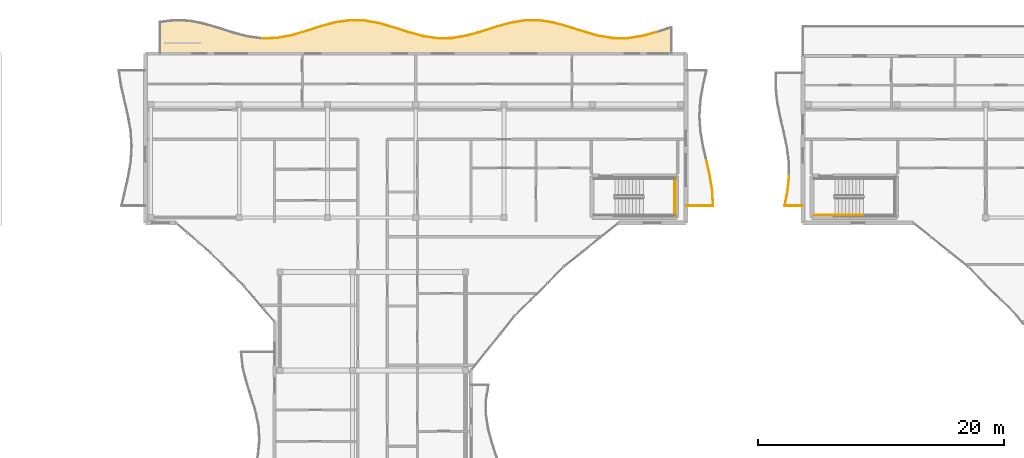
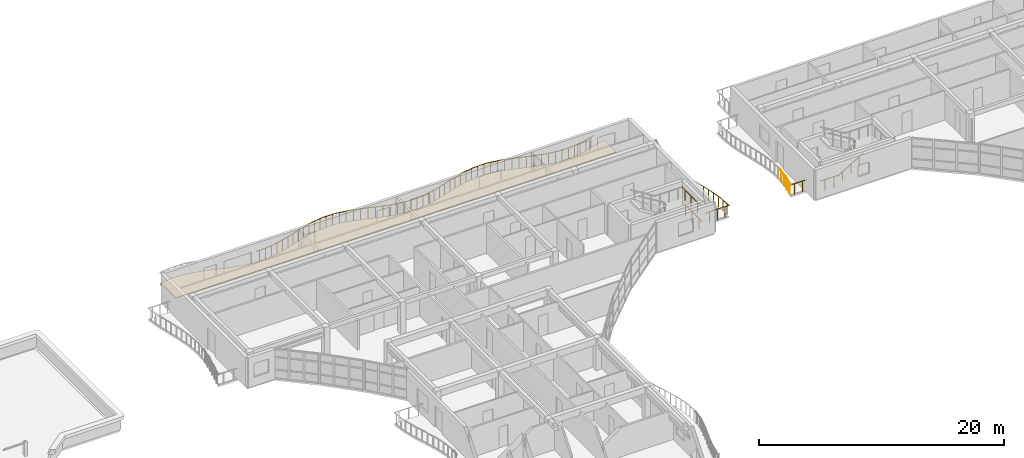
# One storey, part 35 of 39: 38 railings, 1 covering.
"""IFC4 building model written with IfcOpenShell, lengths in metres."""

from ifc_helpers import new_model, si_unit, direction, frame, origin, origin_2d, place, context, subcontext, project, spatial, polyline, circle, outline, extrude, material, layer, layer_set, type_object, element, save


model = new_model("IFC4")

# Units and contexts
model_context = context("Model", 3, precision=1e-05, world=origin(), true_north=direction((0.0, 1.0)))
body_context = subcontext(model_context, "Body", "Model", "MODEL_VIEW")
ifc_project = project(units=[si_unit("LENGTHUNIT", "METRE"), si_unit("AREAUNIT", "SQUARE_METRE"), si_unit("VOLUMEUNIT", "CUBIC_METRE"), si_unit("PLANEANGLEUNIT", "RADIAN"), si_unit("MASSUNIT", "GRAM", prefix="KILO")], contexts=[model_context])

# Site, building, storey
site_placement = place(None, origin())
site = spatial("IfcSite", under=ifc_project, at=site_placement, CompositionType="ELEMENT")
building_placement = place(site_placement, origin())
building = spatial("IfcBuilding", under=site, at=building_placement, Name="Keldmere Railside Commons", CompositionType="ELEMENT")
storey_placement = place(building_placement, frame((0.0, 0.0, 32.9599609375)))
storey = spatial("IfcBuildingStorey", under=building, at=storey_placement, Name="L10", CompositionType="ELEMENT", Elevation=32.9599609375)

# Railings
ifc_material_1 = material(Name="Steel F-24 (S235)", Category="steel")
railing_type_1 = type_object("IfcRailingType", Name="Balcony & Terrace Steel Balustrade 1100", PredefinedType="BALUSTRADE", material=ifc_material_1)
railing_1_placement = place(storey_placement, frame((103.02001953125, 115.01025390625, 0.0)))
element("IfcRailing", 1, at=railing_1_placement, inside=storey, type_object=railing_type_1, Name="GR-1 GRD-L10-2955", PredefinedType="BALUSTRADE", context=body_context, shape_type="SweptSolid", body=[
    extrude(circle(Radius=0.02392578125, at=origin_2d()), frame((0.0, 0.0, 1.076171875), z_axis=(0.999538160203, 0.030388588272, 0.0), x_axis=(-0.030388588272, 0.999538160203, 0.0)), (0.0, 0.0, 1.0), 1.18896484375),
    extrude(circle(Radius=0.02099609375, at=origin_2d()), frame((0.297119140625, 0.009033203125, 0.0)), (0.0, 0.0, 1.0), 1.048095703125),
    extrude(circle(Radius=0.02099609375, at=origin_2d()), frame((0.891357421875, 0.027099609375, 0.0)), (0.0, 0.0, 1.0), 1.048095703125),
])
railing_2_placement = place(storey_placement, frame((104.20849609375, 115.04638671875, 0.0)))
element("IfcRailing", 2, at=railing_2_placement, inside=storey, type_object=railing_type_1, Name="GR-1 GRD-L10-2956", PredefinedType="BALUSTRADE", context=body_context, shape_type="SweptSolid", body=[
    extrude(circle(Radius=0.02392578125, at=origin_2d()), frame((0.0, 0.0, 1.076171875), z_axis=(0.983124982756, 0.182935147746, 0.0), x_axis=(-0.182935147746, 0.983124982756, 0.0)), (0.0, 0.0, 1.0), 1.209228515625),
    extrude(circle(Radius=0.02099609375, at=origin_2d()), frame((0.297119140625, 0.05517578125, 0.0)), (0.0, 0.0, 1.0), 1.048095703125),
    extrude(circle(Radius=0.02099609375, at=origin_2d()), frame((0.8916015625, 0.166015625, 0.0)), (0.0, 0.0, 1.0), 1.048095703125),
])
railing_3_placement = place(storey_placement, frame((105.397216796875, 115.267578125, 0.0)))
element("IfcRailing", 3, at=railing_3_placement, inside=storey, type_object=railing_type_1, Name="GR-1 GRD-L10-2957", PredefinedType="BALUSTRADE", context=body_context, shape_type="SweptSolid", body=[
    extrude(circle(Radius=0.02392578125, at=origin_2d()), frame((0.0, 0.0, 1.076171875), z_axis=(0.959725739227, 0.280938615119, 0.0), x_axis=(-0.280938615119, 0.959725739227, 0.0)), (0.0, 0.0, 1.0), 1.23828125),
    extrude(circle(Radius=0.02099609375, at=origin_2d()), frame((0.297119140625, 0.0869140625, 0.0)), (0.0, 0.0, 1.0), 1.048095703125),
    extrude(circle(Radius=0.02099609375, at=origin_2d()), frame((0.891357421875, 0.260986328125, 0.0)), (0.0, 0.0, 1.0), 1.048095703125),
])
railing_4_placement = place(storey_placement, frame((106.585693359375, 115.615478515625, 0.0)))
element("IfcRailing", 4, at=railing_4_placement, inside=storey, type_object=railing_type_1, Name="GR-1 GRD-L10-2958", PredefinedType="BALUSTRADE", context=body_context, shape_type="SweptSolid", body=[
    extrude(circle(Radius=0.02392578125, at=origin_2d()), frame((0.0, 0.0, 1.076171875), z_axis=(0.951688351356, 0.307065598681, 0.0), x_axis=(-0.307065598681, 0.951688351356, 0.0)), (0.0, 0.0, 1.0), 1.2490234375),
    extrude(circle(Radius=0.02099609375, at=origin_2d()), frame((0.297119140625, 0.095947265625, 0.0)), (0.0, 0.0, 1.0), 1.048095703125),
    extrude(circle(Radius=0.02099609375, at=origin_2d()), frame((0.8916015625, 0.28759765625, 0.0)), (0.0, 0.0, 1.0), 1.048095703125),
])
railing_5_placement = place(storey_placement, frame((107.7744140625, 115.9990234375, 0.0)))
element("IfcRailing", 5, at=railing_5_placement, inside=storey, type_object=railing_type_1, Name="GR-1 GRD-L10-2959", PredefinedType="BALUSTRADE", context=body_context, shape_type="SweptSolid", body=[
    extrude(circle(Radius=0.02392578125, at=origin_2d()), frame((0.0, 0.0, 1.076171875), z_axis=(0.966043637192, 0.258378967877, 0.0), x_axis=(-0.258378967877, 0.966043637192, 0.0)), (0.0, 0.0, 1.0), 1.230224609375),
    extrude(circle(Radius=0.02099609375, at=origin_2d()), frame((0.297119140625, 0.07958984375, 0.0)), (0.0, 0.0, 1.0), 1.048095703125),
    extrude(circle(Radius=0.02099609375, at=origin_2d()), frame((0.891357421875, 0.23828125, 0.0)), (0.0, 0.0, 1.0), 1.048095703125),
])
railing_6_placement = place(storey_placement, frame((108.962890625, 116.31689453125, 0.0)))
element("IfcRailing", 6, at=railing_6_placement, inside=storey, type_object=railing_type_1, Name="GR-1 GRD-L10-2960", PredefinedType="BALUSTRADE", context=body_context, shape_type="SweptSolid", body=[
    extrude(circle(Radius=0.02392578125, at=origin_2d()), frame((0.0, 0.0, 1.076171875), z_axis=(0.990046879519, 0.140737970548, 0.0), x_axis=(-0.140737970548, 0.990046879519, 0.0)), (0.0, 0.0, 1.0), 1.200439453125),
    extrude(circle(Radius=0.02099609375, at=origin_2d()), frame((0.297119140625, 0.042236328125, 0.0)), (0.0, 0.0, 1.0), 1.048095703125),
    extrude(circle(Radius=0.02099609375, at=origin_2d()), frame((0.891357421875, 0.126708984375, 0.0)), (0.0, 0.0, 1.0), 1.048095703125),
])
railing_7_placement = place(storey_placement, frame((110.1513671875, 116.48583984375, 0.0)))
element("IfcRailing", 7, at=railing_7_placement, inside=storey, type_object=railing_type_1, Name="GR-1 GRD-L10-2961", PredefinedType="BALUSTRADE", context=body_context, shape_type="SweptSolid", body=[
    extrude(circle(Radius=0.02392578125, at=origin_2d()), frame((0.0, 0.0, 1.076171875), z_axis=(0.999784923443, -0.020739017718, 0.0), x_axis=(0.020739017718, 0.999784923443, 0.0)), (0.0, 0.0, 1.0), 1.18896484375),
    extrude(circle(Radius=0.02099609375, at=origin_2d()), frame((0.297119140625, -0.006103515625, 0.0)), (0.0, 0.0, 1.0), 1.048095703125),
    extrude(circle(Radius=0.02099609375, at=origin_2d()), frame((0.8916015625, -0.0185546875, 0.0)), (0.0, 0.0, 1.0), 1.048095703125),
])
railing_8_placement = place(storey_placement, frame((111.340087890625, 116.461181640625, 0.0)))
element("IfcRailing", 8, at=railing_8_placement, inside=storey, type_object=railing_type_1, Name="GR-1 GRD-L10-2962", PredefinedType="BALUSTRADE", context=body_context, shape_type="SweptSolid", body=[
    extrude(circle(Radius=0.02392578125, at=origin_2d()), frame((0.0, 0.0, 1.076171875), z_axis=(0.984507469879, -0.175342640999, 0.0), x_axis=(0.175342640999, 0.984507469879, 0.0)), (0.0, 0.0, 1.0), 1.207275390625),
    extrude(circle(Radius=0.02099609375, at=origin_2d()), frame((0.297119140625, -0.052978515625, 0.0)), (0.0, 0.0, 1.0), 1.048095703125),
    extrude(circle(Radius=0.02099609375, at=origin_2d()), frame((0.891357421875, -0.15869140625, 0.0)), (0.0, 0.0, 1.0), 1.048095703125),
])
railing_9_placement = place(storey_placement, frame((112.528564453125, 116.24951171875, 0.0)))
element("IfcRailing", 9, at=railing_9_placement, inside=storey, type_object=railing_type_1, Name="GR-1 GRD-L10-2963", PredefinedType="BALUSTRADE", context=body_context, shape_type="SweptSolid", body=[
    extrude(circle(Radius=0.02392578125, at=origin_2d()), frame((0.0, 0.0, 1.076171875), z_axis=(0.960783150684, -0.277300806637, 0.0), x_axis=(0.277300806637, 0.960783150684, 0.0)), (0.0, 0.0, 1.0), 1.237060546875),
    extrude(circle(Radius=0.02099609375, at=origin_2d()), frame((0.297119140625, -0.085693359375, 0.0)), (0.0, 0.0, 1.0), 1.048095703125),
    extrude(circle(Radius=0.02099609375, at=origin_2d()), frame((0.891357421875, -0.25732421875, 0.0)), (0.0, 0.0, 1.0), 1.048095703125),
])
railing_10_placement = place(storey_placement, frame((113.717041015625, 115.906494140625, 0.0)))
element("IfcRailing", 10, at=railing_10_placement, inside=storey, type_object=railing_type_1, Name="GR-1 GRD-L10-2964", PredefinedType="BALUSTRADE", context=body_context, shape_type="SweptSolid", body=[
    extrude(circle(Radius=0.02392578125, at=origin_2d()), frame((0.0, 0.0, 1.076171875), z_axis=(0.95151687698, -0.307596542281, 0.0), x_axis=(0.307596542281, 0.95151687698, 0.0)), (0.0, 0.0, 1.0), 1.249267578125),
    extrude(circle(Radius=0.02099609375, at=origin_2d()), frame((0.297119140625, -0.09619140625, 0.0)), (0.0, 0.0, 1.0), 1.048095703125),
    extrude(circle(Radius=0.02099609375, at=origin_2d()), frame((0.8916015625, -0.2880859375, 0.0)), (0.0, 0.0, 1.0), 1.048095703125),
])
railing_11_placement = place(storey_placement, frame((114.90576171875, 115.522216796875, 0.0)))
element("IfcRailing", 11, at=railing_11_placement, inside=storey, type_object=railing_type_1, Name="GR-1 GRD-L10-2965", PredefinedType="BALUSTRADE", context=body_context, shape_type="SweptSolid", body=[
    extrude(circle(Radius=0.02392578125, at=origin_2d()), frame((0.0, 0.0, 1.076171875), z_axis=(0.964745525267, -0.263184481831, 0.0), x_axis=(0.263184481831, 0.964745525267, 0.0)), (0.0, 0.0, 1.0), 1.23193359375),
    extrude(circle(Radius=0.02099609375, at=origin_2d()), frame((0.297119140625, -0.0810546875, 0.0)), (0.0, 0.0, 1.0), 1.048095703125),
    extrude(circle(Radius=0.02099609375, at=origin_2d()), frame((0.891357421875, -0.2431640625, 0.0)), (0.0, 0.0, 1.0), 1.048095703125),
])
railing_12_placement = place(storey_placement, frame((116.09423828125, 115.197998046875, 0.0)))
element("IfcRailing", 12, at=railing_12_placement, inside=storey, type_object=railing_type_1, Name="GR-1 GRD-L10-2966", PredefinedType="BALUSTRADE", context=body_context, shape_type="SweptSolid", body=[
    extrude(circle(Radius=0.02392578125, at=origin_2d()), frame((0.0, 0.0, 1.076171875), z_axis=(0.988827344102, -0.149065366722, 0.0), x_axis=(0.149065366722, 0.988827344102, 0.0)), (0.0, 0.0, 1.0), 1.2021484375),
    extrude(circle(Radius=0.02099609375, at=origin_2d()), frame((0.297119140625, -0.044921875, 0.0)), (0.0, 0.0, 1.0), 1.048095703125),
    extrude(circle(Radius=0.02099609375, at=origin_2d()), frame((0.8916015625, -0.13427734375, 0.0)), (0.0, 0.0, 1.0), 1.048095703125),
])
railing_13_placement = place(storey_placement, frame((117.282958984375, 115.018798828125, 0.0)))
element("IfcRailing", 13, at=railing_13_placement, inside=storey, type_object=railing_type_1, Name="GR-1 GRD-L10-2967", PredefinedType="BALUSTRADE", context=body_context, shape_type="SweptSolid", body=[
    extrude(circle(Radius=0.02392578125, at=origin_2d()), frame((0.0, 0.0, 1.076171875), z_axis=(0.999938480003, 0.011092168841, 0.0), x_axis=(-0.011092168841, 0.999938480003, 0.0)), (0.0, 0.0, 1.0), 1.1884765625),
    extrude(circle(Radius=0.02099609375, at=origin_2d()), frame((0.297119140625, 0.00341796875, 0.0)), (0.0, 0.0, 1.0), 1.048095703125),
    extrude(circle(Radius=0.02099609375, at=origin_2d()), frame((0.891357421875, 0.009765625, 0.0)), (0.0, 0.0, 1.0), 1.048095703125),
])
railing_14_placement = place(storey_placement, frame((118.471435546875, 115.031982421875, 0.0)))
element("IfcRailing", 14, at=railing_14_placement, inside=storey, type_object=railing_type_1, Name="GR-1 GRD-L10-2968", PredefinedType="BALUSTRADE", context=body_context, shape_type="SweptSolid", body=[
    extrude(circle(Radius=0.02392578125, at=origin_2d()), frame((0.0, 0.0, 1.076171875), z_axis=(0.98587457901, 0.167485266401, 0.0), x_axis=(-0.167485266401, 0.98587457901, 0.0)), (0.0, 0.0, 1.0), 1.20556640625),
    extrude(circle(Radius=0.02099609375, at=origin_2d()), frame((0.297119140625, 0.050537109375, 0.0)), (0.0, 0.0, 1.0), 1.048095703125),
    extrude(circle(Radius=0.02099609375, at=origin_2d()), frame((0.891357421875, 0.1513671875, 0.0)), (0.0, 0.0, 1.0), 1.048095703125),
])
railing_15_placement = place(storey_placement, frame((119.659912109375, 115.23388671875, 0.0)))
element("IfcRailing", 15, at=railing_15_placement, inside=storey, type_object=railing_type_1, Name="GR-1 GRD-L10-2969", PredefinedType="BALUSTRADE", context=body_context, shape_type="SweptSolid", body=[
    extrude(circle(Radius=0.02392578125, at=origin_2d()), frame((0.0, 0.0, 1.076171875), z_axis=(0.961895808066, 0.273416265838, 0.0), x_axis=(-0.273416265838, 0.961895808066, 0.0)), (0.0, 0.0, 1.0), 1.23583984375),
    extrude(circle(Radius=0.02099609375, at=origin_2d()), frame((0.297119140625, 0.08447265625, 0.0)), (0.0, 0.0, 1.0), 1.048095703125),
    extrude(circle(Radius=0.02099609375, at=origin_2d()), frame((0.8916015625, 0.25341796875, 0.0)), (0.0, 0.0, 1.0), 1.048095703125),
])
railing_16_placement = place(storey_placement, frame((120.8486328125, 115.57177734375, 0.0)))
element("IfcRailing", 16, at=railing_16_placement, inside=storey, type_object=railing_type_1, Name="GR-1 GRD-L10-2970", PredefinedType="BALUSTRADE", context=body_context, shape_type="SweptSolid", body=[
    extrude(circle(Radius=0.02392578125, at=origin_2d()), frame((0.0, 0.0, 1.076171875), z_axis=(0.951441151342, 0.307830692967, 0.0), x_axis=(-0.307830692967, 0.951441151342, 0.0)), (0.0, 0.0, 1.0), 1.2490234375),
    extrude(circle(Radius=0.02099609375, at=origin_2d()), frame((0.297119140625, 0.09619140625, 0.0)), (0.0, 0.0, 1.0), 1.048095703125),
    extrude(circle(Radius=0.02099609375, at=origin_2d()), frame((0.891357421875, 0.288330078125, 0.0)), (0.0, 0.0, 1.0), 1.048095703125),
])
railing_17_placement = place(storey_placement, frame((122.037109375, 115.956298828125, 0.0)))
element("IfcRailing", 17, at=railing_17_placement, inside=storey, type_object=railing_type_1, Name="GR-1 GRD-L10-2971", PredefinedType="BALUSTRADE", context=body_context, shape_type="SweptSolid", body=[
    extrude(circle(Radius=0.02392578125, at=origin_2d()), frame((0.0, 0.0, 1.076171875), z_axis=(0.96347820146, 0.267786772099, 0.0), x_axis=(-0.267786772099, 0.96347820146, 0.0)), (0.0, 0.0, 1.0), 1.233642578125),
    extrude(circle(Radius=0.02099609375, at=origin_2d()), frame((0.297119140625, 0.08251953125, 0.0)), (0.0, 0.0, 1.0), 1.048095703125),
    extrude(circle(Radius=0.02099609375, at=origin_2d()), frame((0.891357421875, 0.247802734375, 0.0)), (0.0, 0.0, 1.0), 1.048095703125),
])
railing_18_placement = place(storey_placement, frame((123.2255859375, 116.28662109375, 0.0)))
element("IfcRailing", 18, at=railing_18_placement, inside=storey, type_object=railing_type_1, Name="GR-1 GRD-L10-2972", PredefinedType="BALUSTRADE", context=body_context, shape_type="SweptSolid", body=[
    extrude(circle(Radius=0.02392578125, at=origin_2d()), frame((0.0, 0.0, 1.076171875), z_axis=(0.987599611549, 0.156993653592, 0.0), x_axis=(-0.156993653592, 0.987599611549, 0.0)), (0.0, 0.0, 1.0), 1.20361328125),
    extrude(circle(Radius=0.02099609375, at=origin_2d()), frame((0.297119140625, 0.04736328125, 0.0)), (0.0, 0.0, 1.0), 1.048095703125),
    extrude(circle(Radius=0.02099609375, at=origin_2d()), frame((0.8916015625, 0.1416015625, 0.0)), (0.0, 0.0, 1.0), 1.048095703125),
])
railing_19_placement = place(storey_placement, frame((124.414306640625, 116.4755859375, 0.0)))
element("IfcRailing", 19, at=railing_19_placement, inside=storey, type_object=railing_type_1, Name="GR-1 GRD-L10-2973", PredefinedType="BALUSTRADE", context=body_context, shape_type="SweptSolid", body=[
    extrude(circle(Radius=0.02392578125, at=origin_2d()), frame((0.0, 0.0, 1.076171875), z_axis=(0.999999240425, -0.001232538094, 0.0), x_axis=(0.001232538094, 0.999999240425, 0.0)), (0.0, 0.0, 1.0), 1.1884765625),
    extrude(circle(Radius=0.02099609375, at=origin_2d()), frame((0.297119140625, -0.00048828125, 0.0)), (0.0, 0.0, 1.0), 1.048095703125),
    extrude(circle(Radius=0.02099609375, at=origin_2d()), frame((0.891357421875, -0.0009765625, 0.0)), (0.0, 0.0, 1.0), 1.048095703125),
])
railing_20_placement = place(storey_placement, frame((125.602783203125, 116.47412109375, 0.0)))
element("IfcRailing", 20, at=railing_20_placement, inside=storey, type_object=railing_type_1, Name="GR-1 GRD-L10-2974", PredefinedType="BALUSTRADE", context=body_context, shape_type="SweptSolid", body=[
    extrude(circle(Radius=0.02392578125, at=origin_2d()), frame((0.0, 0.0, 1.076171875), z_axis=(0.987187601693, -0.159563902759, 0.0), x_axis=(0.159563902759, 0.987187601693, 0.0)), (0.0, 0.0, 1.0), 1.2041015625),
    extrude(circle(Radius=0.02099609375, at=origin_2d()), frame((0.297119140625, -0.048095703125, 0.0)), (0.0, 0.0, 1.0), 1.048095703125),
    extrude(circle(Radius=0.02099609375, at=origin_2d()), frame((0.8916015625, -0.14404296875, 0.0)), (0.0, 0.0, 1.0), 1.048095703125),
])
railing_21_placement = place(storey_placement, frame((126.79150390625, 116.281982421875, 0.0)))
element("IfcRailing", 21, at=railing_21_placement, inside=storey, type_object=railing_type_1, Name="GR-1 GRD-L10-2975", PredefinedType="BALUSTRADE", context=body_context, shape_type="SweptSolid", body=[
    extrude(circle(Radius=0.02392578125, at=origin_2d()), frame((0.0, 0.0, 1.076171875), z_axis=(0.96317127953, -0.268888613164, 0.0), x_axis=(0.268888613164, 0.96317127953, 0.0)), (0.0, 0.0, 1.0), 1.23388671875),
    extrude(circle(Radius=0.02099609375, at=origin_2d()), frame((0.297119140625, -0.0830078125, 0.0)), (0.0, 0.0, 1.0), 1.048095703125),
    extrude(circle(Radius=0.02099609375, at=origin_2d()), frame((0.891357421875, -0.248779296875, 0.0)), (0.0, 0.0, 1.0), 1.048095703125),
])
railing_22_placement = place(storey_placement, frame((127.97998046875, 115.9501953125, 0.0)))
element("IfcRailing", 22, at=railing_22_placement, inside=storey, type_object=railing_type_1, Name="GR-1 GRD-L10-2976", PredefinedType="BALUSTRADE", context=body_context, shape_type="SweptSolid", body=[
    extrude(circle(Radius=0.02392578125, at=origin_2d()), frame((0.0, 0.0, 1.076171875), z_axis=(0.95140243058, -0.307950345162, 0.0), x_axis=(0.307950345162, 0.95140243058, 0.0)), (0.0, 0.0, 1.0), 1.24951171875),
    extrude(circle(Radius=0.02099609375, at=origin_2d()), frame((0.297119140625, -0.09619140625, 0.0)), (0.0, 0.0, 1.0), 1.048095703125),
    extrude(circle(Radius=0.02099609375, at=origin_2d()), frame((0.8916015625, -0.28857421875, 0.0)), (0.0, 0.0, 1.0), 1.048095703125),
])
railing_23_placement = place(storey_placement, frame((129.168701171875, 115.5654296875, 0.0)))
element("IfcRailing", 23, at=railing_23_placement, inside=storey, type_object=railing_type_1, Name="GR-1 GRD-L10-2977", PredefinedType="BALUSTRADE", context=body_context, shape_type="SweptSolid", body=[
    extrude(circle(Radius=0.02392578125, at=origin_2d()), frame((0.0, 0.0, 1.076171875), z_axis=(0.96229590619, -0.272004759022, 0.0), x_axis=(0.272004759022, 0.96229590619, 0.0)), (0.0, 0.0, 1.0), 1.235107421875),
    extrude(circle(Radius=0.02099609375, at=origin_2d()), frame((0.297119140625, -0.083984375, 0.0)), (0.0, 0.0, 1.0), 1.048095703125),
    extrude(circle(Radius=0.02099609375, at=origin_2d()), frame((0.891357421875, -0.251953125, 0.0)), (0.0, 0.0, 1.0), 1.048095703125),
])
railing_24_placement = place(storey_placement, frame((130.357177734375, 115.2294921875, 0.0)))
element("IfcRailing", 24, at=railing_24_placement, inside=storey, type_object=railing_type_1, Name="GR-1 GRD-L10-2978", PredefinedType="BALUSTRADE", context=body_context, shape_type="SweptSolid", body=[
    extrude(circle(Radius=0.02392578125, at=origin_2d()), frame((0.0, 0.0, 1.076171875), z_axis=(0.986240178555, -0.165318813825, 0.0), x_axis=(0.165318813825, 0.986240178555, 0.0)), (0.0, 0.0, 1.0), 1.205078125),
    extrude(circle(Radius=0.02099609375, at=origin_2d()), frame((0.297119140625, -0.0498046875, 0.0)), (0.0, 0.0, 1.0), 1.048095703125),
    extrude(circle(Radius=0.02099609375, at=origin_2d()), frame((0.891357421875, -0.1494140625, 0.0)), (0.0, 0.0, 1.0), 1.048095703125),
])
railing_25_placement = place(storey_placement, frame((131.545654296875, 115.0302734375, 0.0)))
element("IfcRailing", 25, at=railing_25_placement, inside=storey, type_object=railing_type_1, Name="GR-1 GRD-L10-2979", PredefinedType="BALUSTRADE", context=body_context, shape_type="SweptSolid", body=[
    extrude(circle(Radius=0.02392578125, at=origin_2d()), frame((0.0, 0.0, 1.076171875), z_axis=(0.99996625663, -0.008214962059, 0.0), x_axis=(0.008214962059, 0.99996625663, 0.0)), (0.0, 0.0, 1.0), 1.188720703125),
    extrude(circle(Radius=0.02099609375, at=origin_2d()), frame((0.297119140625, -0.00244140625, 0.0)), (0.0, 0.0, 1.0), 1.048095703125),
    extrude(circle(Radius=0.02099609375, at=origin_2d()), frame((0.8916015625, -0.00732421875, 0.0)), (0.0, 0.0, 1.0), 1.048095703125),
])
railing_26_placement = place(storey_placement, frame((132.734375, 115.0205078125, 0.0)))
element("IfcRailing", 26, at=railing_26_placement, inside=storey, type_object=railing_type_1, Name="GR-1 GRD-L10-2980", PredefinedType="BALUSTRADE", context=body_context, shape_type="SweptSolid", body=[
    extrude(circle(Radius=0.02392578125, at=origin_2d()), frame((0.0, 0.0, 1.076171875), z_axis=(0.988491113928, 0.151278939991, 0.0), x_axis=(-0.151278939991, 0.988491113928, 0.0)), (0.0, 0.0, 1.0), 1.202392578125),
    extrude(circle(Radius=0.02099609375, at=origin_2d()), frame((0.297119140625, 0.04541015625, 0.0)), (0.0, 0.0, 1.0), 1.048095703125),
    extrude(circle(Radius=0.02099609375, at=origin_2d()), frame((0.891357421875, 0.136474609375, 0.0)), (0.0, 0.0, 1.0), 1.048095703125),
])
railing_27_placement = place(storey_placement, frame((133.9228515625, 115.202392578125, 0.0)))
element("IfcRailing", 27, at=railing_27_placement, inside=storey, type_object=railing_type_1, Name="GR-1 GRD-L10-2981", PredefinedType="BALUSTRADE", context=body_context, shape_type="SweptSolid", body=[
    extrude(circle(Radius=0.02392578125, at=origin_2d()), frame((0.0, 0.0, 1.076171875), z_axis=(0.964392555103, 0.264474950917, 0.0), x_axis=(-0.264474950917, 0.964392555103, 0.0)), (0.0, 0.0, 1.0), 1.232421875),
    extrude(circle(Radius=0.02099609375, at=origin_2d()), frame((0.297119140625, 0.08154296875, 0.0)), (0.0, 0.0, 1.0), 1.048095703125),
    extrude(circle(Radius=0.02099609375, at=origin_2d()), frame((0.891357421875, 0.244384765625, 0.0)), (0.0, 0.0, 1.0), 1.048095703125),
])
railing_28_placement = place(storey_placement, frame((137.5, 101.39990234375, 0.0)))
element("IfcRailing", 28, at=railing_28_placement, inside=storey, type_object=railing_type_1, Name="GR-1 GRD-L10-3028", PredefinedType="BALUSTRADE", context=body_context, shape_type="SweptSolid", body=[
    extrude(circle(Radius=0.02392578125, at=origin_2d()), frame((0.0, 0.0, 1.076171875), z_axis=(1.0, 0.0, 0.0), x_axis=(0.0, 1.0, 0.0)), (0.0, 0.0, 1.0), 2.19921875),
    extrude(circle(Radius=0.02099609375, at=origin_2d()), frame((0.366455078125, 0.0, 0.0)), (0.0, 0.0, 1.0), 1.048095703125),
    extrude(circle(Radius=0.02099609375, at=origin_2d()), frame((1.099609375, 0.0, 0.0)), (0.0, 0.0, 1.0), 1.048095703125),
    extrude(circle(Radius=0.02099609375, at=origin_2d()), frame((1.832763671875, 0.0, 0.0)), (0.0, 0.0, 1.0), 1.048095703125),
])
railing_29_placement = place(storey_placement, frame((139.69921875, 101.39990234375, 0.0)))
element("IfcRailing", 29, at=railing_29_placement, inside=storey, type_object=railing_type_1, Name="GR-1 GRD-L10-3029", PredefinedType="BALUSTRADE", context=body_context, shape_type="SweptSolid", body=[
    extrude(circle(Radius=0.02392578125, at=origin_2d()), frame((0.0, 0.0, 1.076171875), z_axis=(-0.05006694864, 0.998745863898, 0.0), x_axis=(-0.998745863898, -0.05006694864, 0.0)), (0.0, 0.0, 1.0), 1.223876953125),
    extrude(circle(Radius=0.02099609375, at=origin_2d()), frame((-0.015380859375, 0.3056640625, 0.0)), (0.0, 0.0, 1.0), 1.048095703125),
    extrude(circle(Radius=0.02099609375, at=origin_2d()), frame((-0.0458984375, 0.916748046875, 0.0)), (0.0, 0.0, 1.0), 1.048095703125),
])
railing_30_placement = place(storey_placement, frame((139.637939453125, 102.622314453125, 0.0)))
element("IfcRailing", 30, at=railing_30_placement, inside=storey, type_object=railing_type_1, Name="GR-1 GRD-L10-3030", PredefinedType="BALUSTRADE", context=body_context, shape_type="SweptSolid", body=[
    extrude(circle(Radius=0.02392578125, at=origin_2d()), frame((0.0, 0.0, 1.076171875), z_axis=(-0.158767358593, 0.987316021264, 0.0), x_axis=(-0.987316021264, -0.158767358593, 0.0)), (0.0, 0.0, 1.0), 1.23779296875),
    extrude(circle(Radius=0.02099609375, at=origin_2d()), frame((-0.049072265625, 0.3056640625, 0.0)), (0.0, 0.0, 1.0), 1.048095703125),
    extrude(circle(Radius=0.02099609375, at=origin_2d()), frame((-0.1474609375, 0.91650390625, 0.0)), (0.0, 0.0, 1.0), 1.048095703125),
])
railing_31_placement = place(storey_placement, frame((139.44140625, 103.844482421875, 0.0)))
element("IfcRailing", 31, at=railing_31_placement, inside=storey, type_object=railing_type_1, Name="GR-1 GRD-L10-3031", PredefinedType="BALUSTRADE", context=body_context, shape_type="SweptSolid", body=[
    extrude(circle(Radius=0.02392578125, at=origin_2d()), frame((0.0, 0.0, 1.076171875), z_axis=(-0.22148638787, 0.975163463215, 0.0), x_axis=(-0.975163463215, -0.22148638787, 0.0)), (0.0, 0.0, 1.0), 1.253173828125),
    extrude(circle(Radius=0.02099609375, at=origin_2d()), frame((-0.0693359375, 0.3056640625, 0.0)), (0.0, 0.0, 1.0), 1.048095703125),
    extrude(circle(Radius=0.02099609375, at=origin_2d()), frame((-0.208251953125, 0.91650390625, 0.0)), (0.0, 0.0, 1.0), 1.048095703125),
])
railing_32_placement = place(storey_placement, frame((147.0, 101.39990234375, 0.0)))
element("IfcRailing", 32, at=railing_32_placement, inside=storey, type_object=railing_type_1, Name="GR-1 GRD-L10-4407", PredefinedType="BALUSTRADE", context=body_context, shape_type="SweptSolid", body=[
    extrude(circle(Radius=0.02392578125, at=origin_2d()), frame((0.0, 0.0, 1.076171875), z_axis=(-1.0, 0.0, 0.0), x_axis=(0.0, -1.0, 0.0)), (0.0, 0.0, 1.0), 1.474365234375),
    extrude(circle(Radius=0.02099609375, at=origin_2d()), frame((-0.36865234375, 0.0, 0.0)), (0.0, 0.0, 1.0), 1.048095703125),
    extrude(circle(Radius=0.02099609375, at=origin_2d()), frame((-1.105712890625, 0.0, 0.0)), (0.0, 0.0, 1.0), 1.048095703125),
])
railing_33_placement = place(storey_placement, frame((145.525634765625, 101.39990234375, 0.0)))
element("IfcRailing", 33, at=railing_33_placement, inside=storey, type_object=railing_type_1, Name="GR-1 GRD-L10-4408", PredefinedType="BALUSTRADE", context=body_context, shape_type="SweptSolid", body=[
    extrude(circle(Radius=0.02392578125, at=origin_2d()), frame((0.0, 0.0, 1.076171875), z_axis=(0.19377456217, 0.981046084063, 0.0), x_axis=(-0.981046084063, 0.19377456217, 0.0)), (0.0, 0.0, 1.0), 1.223388671875),
    extrude(circle(Radius=0.02099609375, at=origin_2d()), frame((0.059326171875, 0.300048828125, 0.0)), (0.0, 0.0, 1.0), 1.048095703125),
    extrude(circle(Radius=0.02099609375, at=origin_2d()), frame((0.177734375, 0.900146484375, 0.0)), (0.0, 0.0, 1.0), 1.048095703125),
])
railing_34_placement = place(storey_placement, frame((145.7626953125, 102.60009765625, 0.0)))
element("IfcRailing", 34, at=railing_34_placement, inside=storey, type_object=railing_type_1, Name="GR-1 GRD-L10-4409", PredefinedType="BALUSTRADE", context=body_context, shape_type="SweptSolid", body=[
    extrude(circle(Radius=0.02392578125, at=origin_2d()), frame((0.0, 0.0, 1.076171875), z_axis=(0.104811175739, 0.994492140462, 0.0), x_axis=(-0.994492140462, 0.104811175739, 0.0)), (0.0, 0.0, 1.0), 1.20654296875),
    extrude(circle(Radius=0.02099609375, at=origin_2d()), frame((0.03173828125, 0.300048828125, 0.0)), (0.0, 0.0, 1.0), 1.048095703125),
    extrude(circle(Radius=0.02099609375, at=origin_2d()), frame((0.0947265625, 0.89990234375, 0.0)), (0.0, 0.0, 1.0), 1.048095703125),
])
railing_type_2 = type_object("IfcRailingType", Name="Stair Well Steel Guardrail 1100", PredefinedType="BALUSTRADE", material=ifc_material_1)
railing_35_placement = place(storey_placement, frame((136.550048828125, 100.60009765625, 1.60009765625)))
element("IfcRailing", 35, at=railing_35_placement, inside=storey, type_object=railing_type_2, Name="L10 ST-B2 stair guard 5", PredefinedType="BALUSTRADE", context=body_context, shape_type="SweptSolid", body=[
    extrude(circle(Radius=0.02392578125, at=origin_2d()), frame((0.0, 0.0, 1.076171875), z_axis=(0.0, 1.0, 0.0), x_axis=(-1.0, 0.0, 0.0)), (0.0, 0.0, 1.0), 3.0498046875),
    extrude(circle(Radius=0.02099609375, at=origin_2d()), frame((0.0, 0.50830078125, 0.0)), (0.0, 0.0, 1.0), 1.048095703125),
    extrude(circle(Radius=0.02099609375, at=origin_2d()), frame((0.0, 1.52490234375, 0.0)), (0.0, 0.0, 1.0), 1.048095703125),
    extrude(circle(Radius=0.02099609375, at=origin_2d()), frame((0.0, 2.54150390625, 0.0)), (0.0, 0.0, 1.0), 1.048095703125),
])
railing_36_placement = place(storey_placement, frame((136.64990234375, 100.5, 0.0)))
element("IfcRailing", 36, at=railing_36_placement, inside=storey, type_object=railing_type_2, Name="L10 ST-B2 stair guard 12", PredefinedType="BALUSTRADE", context=body_context, shape_type="SweptSolid", body=[
    extrude(circle(Radius=0.02392578125, at=origin_2d()), frame((0.0, 0.0, 1.076171875), z_axis=(0.0, 1.0, 0.0), x_axis=(-1.0, 0.0, 0.0)), (0.0, 0.0, 1.0), 3.25),
    extrude(circle(Radius=0.02099609375, at=origin_2d()), frame((0.0, 0.541748046875, 0.0)), (0.0, 0.0, 1.0), 1.048095703125),
    extrude(circle(Radius=0.02099609375, at=origin_2d()), frame((0.0, 1.625, 0.0)), (0.0, 0.0, 1.0), 1.048095703125),
    extrude(circle(Radius=0.02099609375, at=origin_2d()), frame((0.0, 2.708251953125, 0.0)), (0.0, 0.0, 1.0), 1.048095703125),
])
railing_37_placement = place(storey_placement, frame((147.89990234375, 100.64990234375, 0.0)))
element("IfcRailing", 37, at=railing_37_placement, inside=storey, type_object=railing_type_2, Name="L10 ST-A2 stair guard 8", PredefinedType="BALUSTRADE", context=body_context, shape_type="SweptSolid", body=[
    extrude(circle(Radius=0.02392578125, at=origin_2d()), frame((0.0, 0.0, 1.076171875), z_axis=(1.0, 0.0, 0.0), x_axis=(0.0, 1.0, 0.0)), (0.0, 0.0, 1.0), 1.7001953125),
    extrude(circle(Radius=0.02099609375, at=origin_2d()), frame((0.425048828125, 0.0, 0.0)), (0.0, 0.0, 1.0), 1.048095703125),
    extrude(circle(Radius=0.02099609375, at=origin_2d()), frame((1.275146484375, 0.0, 0.0)), (0.0, 0.0, 1.0), 1.048095703125),
])
railing_type_3 = type_object("IfcRailingType", Name="Wall-Mounted Tubular Steel Handrail 900", PredefinedType="HANDRAIL", material=ifc_material_1)
railing_38_placement = place(storey_placement, frame((149.60009765625, 100.64990234375, 0.177734375)))
element("IfcRailing", 38, at=railing_38_placement, inside=storey, type_object=railing_type_3, Name="L10 ST-A2 stair handrail 1", PredefinedType="HANDRAIL", context=body_context, shape_type="SweptSolid", body=[
    extrude(circle(Radius=0.02392578125, at=origin_2d()), frame((0.0, 0.0, 0.8759765625), z_axis=(0.852513557019, 0.0, 0.522705112944), x_axis=(0.0, 1.0, 0.0)), (0.0, 0.0, 1.0), 2.72119140625),
    extrude(circle(Radius=0.02099609375, at=origin_2d()), frame((0.38671875, 0.0, 0.237060546875)), (0.0, 0.0, 1.0), 0.847900390625),
    extrude(circle(Radius=0.02099609375, at=origin_2d()), frame((1.159912109375, 0.0, 0.711181640625)), (0.0, 0.0, 1.0), 0.847900390625),
    extrude(circle(Radius=0.02099609375, at=origin_2d()), frame((1.93310546875, 0.0, 1.185302734375)), (0.0, 0.0, 1.0), 0.847900390625),
])

# Covering
ifc_material_2 = material(Name="White Precast Concrete C35/45", Category="concrete")
ifc_layer = layer(ifc_material_2, 0.044921875, Name="White Architectural Balcony Ribbon Cladding 45")
ifc_layer_set = layer_set([ifc_layer], Name="White Precast Concrete C35/45")
covering_type = type_object("IfcCoveringType", Name="White Architectural Balcony Ribbon Cladding 45", PredefinedType="FLOORING", material=ifc_layer_set)
covering_placement = place(storey_placement, origin())
element("IfcCovering", 39, at=covering_placement, inside=storey, type_object=covering_type, Name="CLG-WB B L10 N White Balcony Ribbon", PredefinedType="FLOORING", context=body_context, shape_type="SweptSolid", body=[
    extrude(outline(polyline([(136.260009765625, 113.840087890625), (136.260009765625, 115.857666015625), (135.123779296875, 115.490234375), (135.1220703125, 115.48974609375), (133.93359375, 115.163818359375), (133.928955078125, 115.162841796875), (132.740478515625, 114.98095703125), (132.7373046875, 114.98046875), (132.73388671875, 114.98046875), (131.54541015625, 114.990234375), (131.542236328125, 114.990478515625), (131.5390625, 114.99072265625), (130.3505859375, 115.18994140625), (130.34619140625, 115.19091796875), (129.15771484375, 115.527099609375), (129.15625, 115.52734375), (127.968505859375, 115.911865234375), (126.78271484375, 116.242919921875), (125.599609375, 116.43408203125), (124.41748046875, 116.435791015625), (123.234130859375, 116.247314453125), (122.048583984375, 115.91796875), (120.86083984375, 115.53369140625), (120.859619140625, 115.533203125), (119.6708984375, 115.195556640625), (119.666748046875, 115.194580078125), (118.47802734375, 114.99267578125), (118.47509765625, 114.9921875), (118.4716796875, 114.9921875), (117.283203125, 114.97900390625), (117.280029296875, 114.97900390625), (117.27685546875, 114.979248046875), (116.08837890625, 115.158447265625), (116.083740234375, 115.159423828125), (114.895263671875, 115.483642578125), (114.893310546875, 115.484130859375), (113.705322265625, 115.8681640625), (112.51953125, 116.21044921875), (111.336181640625, 116.421142578125), (110.15380859375, 116.44580078125), (108.970947265625, 116.277587890625), (107.78564453125, 115.960693359375), (106.597900390625, 115.577392578125), (106.596923828125, 115.5771484375), (105.408203125, 115.22900390625), (105.404296875, 115.228271484375), (104.2158203125, 115.007080078125), (104.212890625, 115.006591796875), (104.209716796875, 115.00634765625), (103.021240234375, 114.97021484375), (103.01806640625, 114.97021484375), (103.0146484375, 114.970703125), (101.826171875, 115.129150390625), (101.8212890625, 115.1298828125), (100.6328125, 115.44140625), (100.630615234375, 115.44189453125), (99.4423828125, 115.82421875), (98.256103515625, 116.17626953125), (97.072509765625, 116.40576171875), (95.890380859375, 116.452880859375), (94.739990234375, 116.31005859375), (94.739990234375, 113.840087890625), (136.260009765625, 113.840087890625)])), origin(), (0.0, 0.0, 1.0), 0.044921875),
])

save(model, "model.ifc")
